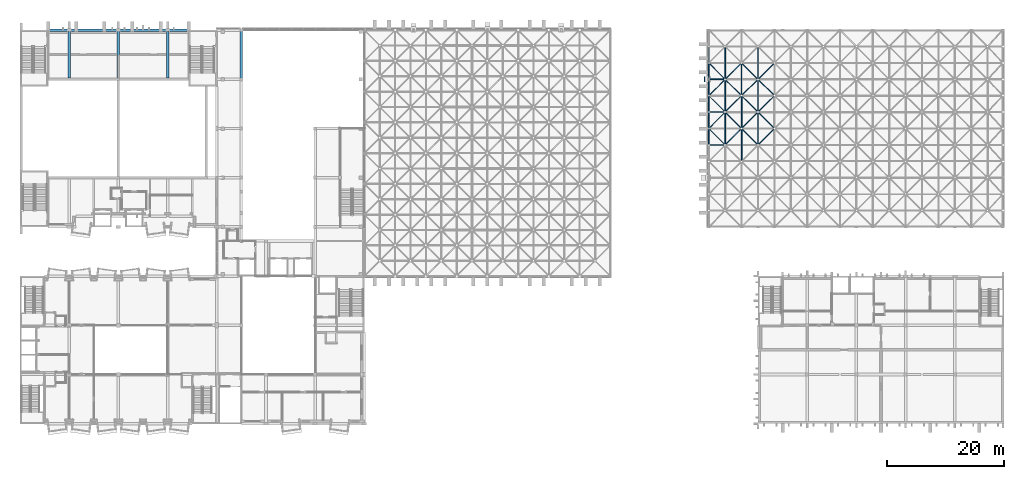
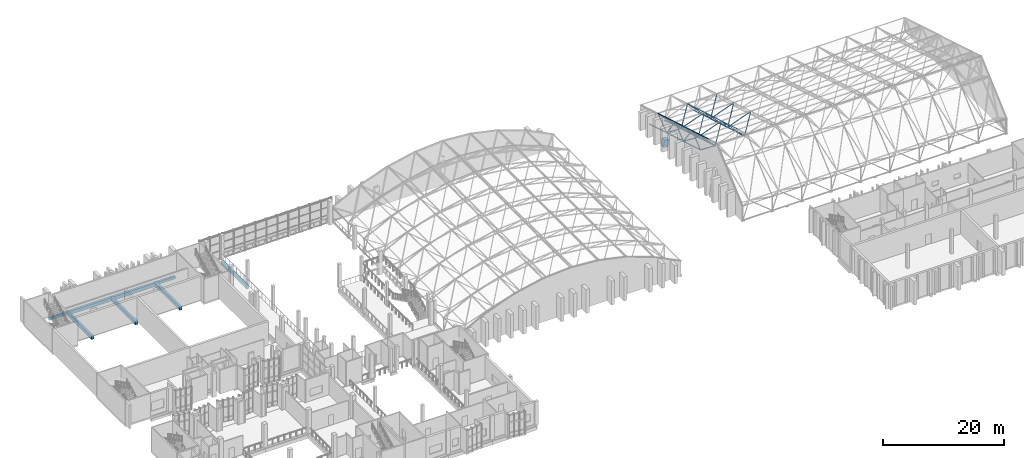
# One storey, part 26 of 100: 42 members, 8 beams.
"""IFC4 building model written with IfcOpenShell, lengths in metres."""

from ifc_helpers import new_model, si_unit, direction, frame, origin, origin_2d, place, context, subcontext, project, spatial, rectangle, hollow_circle, extrude, material, material_profile, profile_set, type_object, element, save


model = new_model("IFC4")

# Units and contexts
model_context = context("Model", 3, precision=1e-05, world=origin(), true_north=direction((0.0, 1.0)))
body_context = subcontext(model_context, "Body", "Model", "MODEL_VIEW")
ifc_project = project(units=[si_unit("LENGTHUNIT", "METRE"), si_unit("AREAUNIT", "SQUARE_METRE"), si_unit("VOLUMEUNIT", "CUBIC_METRE"), si_unit("PLANEANGLEUNIT", "RADIAN"), si_unit("MASSUNIT", "GRAM", prefix="KILO")], contexts=[model_context])

# Site, building, storey
site_placement = place(None, origin())
site = spatial("IfcSite", under=ifc_project, at=site_placement, CompositionType="ELEMENT")
building_placement = place(site_placement, origin())
building = spatial("IfcBuilding", under=site, at=building_placement, Name="Kiln Court Media Centre", CompositionType="ELEMENT")
storey_placement = place(building_placement, frame((0.0, 0.0, 15.0)))
storey = spatial("IfcBuildingStorey", under=building, at=storey_placement, Name="L03", CompositionType="ELEMENT", Elevation=15.0)

# Beams
ifc_material_1 = material(Name="Concrete C30/37", Category="concrete")
ifc_material_profile_1 = material_profile(ifc_material_1, rectangle(XDim=0.39990234375, YDim=0.5, at=origin_2d()), Name="RC 400x500")
ifc_profile_set_1 = profile_set([ifc_material_profile_1], Name="Concrete C30/37")
beam_type_1 = type_object("IfcBeamType", Name="Concrete C30/37 beam 400x500", PredefinedType="BEAM", material=ifc_profile_set_1)
beam_1_placement = place(storey_placement, frame((4.800048828125, 67.199951171875, -0.550048828125), z_axis=(1.0, 0.0, 0.0), x_axis=(0.0, 1.0, 0.0)))
element("IfcBeam", 1, at=beam_1_placement, inside=storey, type_object=beam_type_1, Name="L03-B-1058", PredefinedType="BEAM", context=body_context, shape_type="SweptSolid", body=[
    extrude(rectangle(XDim=0.39990234375, YDim=0.5, at=origin_2d()), origin(), (0.0, 0.0, 1.0), 3.599853515625),
])
beam_2_placement = place(storey_placement, frame((25.199951171875, 67.199951171875, -0.550048828125), z_axis=(1.0, 0.0, 0.0), x_axis=(0.0, 1.0, 0.0)))
element("IfcBeam", 2, at=beam_2_placement, inside=storey, type_object=beam_type_1, Name="L03-B-1061", PredefinedType="BEAM", context=body_context, shape_type="SweptSolid", body=[
    extrude(rectangle(XDim=0.39990234375, YDim=0.5, at=origin_2d()), origin(), (0.0, 0.0, 1.0), 3.60009765625),
])
ifc_material_2 = material(Name="Concrete C30/37", Category="concrete")
ifc_material_profile_2 = material_profile(ifc_material_2, rectangle(XDim=0.449951171875, YDim=0.699951171875, at=origin_2d()), Name="RC 450x700")
ifc_profile_set_2 = profile_set([ifc_material_profile_2], Name="Concrete C30/37")
beam_type_2 = type_object("IfcBeamType", Name="Concrete C30/37 beam 450x700", PredefinedType="BEAM", material=ifc_profile_set_2)
for number, where, z_axis, x_axis, name in (
    (3, (8.39990234375, 59.0, -0.64990234375), (0.0, 1.0, 0.0), (-1.0, 0.0, 0.0), "L03-B-1048"),
    (4, (16.800048828125, 59.0, -0.64990234375), (0.0, 1.0, 0.0), (-1.0, 0.0, 0.0), "L03-B-1050"),
    (5, (25.199951171875, 59.0, -0.64990234375), (0.0, 1.0, 0.0), (-1.0, 0.0, 0.0), "L03-B-1052"),
):
    element("IfcBeam", number, at=place(storey_placement, frame(where, z_axis=z_axis, x_axis=x_axis)), inside=storey, type_object=beam_type_2, Name=name, PredefinedType="BEAM", context=body_context, shape_type="SweptSolid", body=[
        extrude(rectangle(XDim=0.449951171875, YDim=0.699951171875, at=origin_2d()), origin(), (0.0, 0.0, 1.0), 8.199951171875),
    ])
beam_3_placement = place(storey_placement, frame((8.39990234375, 67.199951171875, -0.64990234375), z_axis=(1.0, 0.0, 0.0), x_axis=(0.0, 1.0, 0.0)))
element("IfcBeam", 6, at=beam_3_placement, inside=storey, type_object=beam_type_2, Name="L03-B-1059", PredefinedType="BEAM", context=body_context, shape_type="SweptSolid", body=[
    extrude(rectangle(XDim=0.449951171875, YDim=0.699951171875, at=origin_2d()), origin(), (0.0, 0.0, 1.0), 8.400146484375),
])
for number, where, z_axis, x_axis, name in (
    (7, (16.800048828125, 67.199951171875, -0.64990234375), (1.0, 0.0, 0.0), (0.0, 1.0, 0.0), "L03-B-1060"),
    (8, (37.800048828125, 67.199951171875, -0.64990234375), (0.0, -1.0, 0.0), (1.0, 0.0, 0.0), "L03-B-1090"),
):
    element("IfcBeam", number, at=place(storey_placement, frame(where, z_axis=z_axis, x_axis=x_axis)), inside=storey, type_object=beam_type_2, Name=name, PredefinedType="BEAM", context=body_context, shape_type="SweptSolid", body=[
        extrude(rectangle(XDim=0.449951171875, YDim=0.699951171875, at=origin_2d()), origin(), (0.0, 0.0, 1.0), 8.39990234375),
    ])

# Members
ifc_material_3 = material(Name="Concrete C40/50", Category="concrete")
ifc_material_profile_3 = material_profile(ifc_material_3, rectangle(XDim=0.89990234375, YDim=0.89990234375, at=origin_2d()), Name="RC 900x900")
ifc_profile_set_3 = profile_set([ifc_material_profile_3], Name="Concrete C40/50")
member_type_1 = type_object("IfcMemberType", Name="Concrete C40/50 raked column 900x900", PredefinedType="STRUT", material=ifc_profile_set_3)
member_1_placement = place(storey_placement, frame((117.190673828125, 58.800048828125, 0.0), z_axis=(0.170147994664, 0.0, 0.985418520179), x_axis=(0.0, 1.0, 0.0)))
element("IfcMember", 9, at=member_1_placement, inside=storey, type_object=member_type_1, Name="L03-M-1004", PredefinedType="STRUT", context=body_context, shape_type="SweptSolid", body=[
    extrude(rectangle(XDim=0.89990234375, YDim=0.89990234375, at=origin_2d()), origin(), (0.0, 0.0, 1.0), 1.390380859375),
])
ifc_material_4 = material(Name="Steel ASTM A500 Gr C", Category="steel")
ifc_material_profile_4 = material_profile(ifc_material_4, hollow_circle(Radius=0.05078125, WallThickness=0.0048828125, at=origin_2d()), Name="CHS 101.6x5.0")
ifc_profile_set_4 = profile_set([ifc_material_profile_4], Name="Steel ASTM A500 Gr C")
member_type_2 = type_object("IfcMemberType", Name="Steel ASTM A500 Gr C CHS 101.6x5.0 space frame brace", PredefinedType="BRACE", material=ifc_profile_set_4)
member_2_placement = place(storey_placement, frame((120.39990234375, 58.800048828125, 2.3701171875), z_axis=(-0.499761045685, -0.49980462443, 0.70741376479), x_axis=(0.70713760873, -0.707075952299, 0.0)))
element("IfcMember", 10, at=member_2_placement, inside=storey, type_object=member_type_2, Name="V2 roof diagonal 5-1 space frame brace", PredefinedType="BRACE", context=body_context, shape_type="SweptSolid", body=[
    extrude(hollow_circle(Radius=0.05078125, WallThickness=0.0048828125, at=origin_2d()), origin(), (0.0, 0.0, 1.0), 5.602294921875),
])
member_3_placement = place(storey_placement, frame((120.39990234375, 58.800048828125, 2.3701171875), z_axis=(-0.611642208339, 0.611695543028, 0.501719415229), x_axis=(-0.70713760873, -0.707075952299, 0.0)))
element("IfcMember", 11, at=member_3_placement, inside=storey, type_object=member_type_2, Name="V2 roof diagonal 5-1 space frame brace", PredefinedType="BRACE", context=body_context, shape_type="SweptSolid", body=[
    extrude(hollow_circle(Radius=0.05078125, WallThickness=0.0048828125, at=origin_2d()), origin(), (0.0, 0.0, 1.0), 4.57763671875),
])
member_4_placement = place(storey_placement, frame((120.39990234375, 58.800048828125, 2.3701171875), z_axis=(0.499793739087, -0.499793739087, 0.707398357886), x_axis=(0.707106781187, 0.707106781187, 0.0)))
element("IfcMember", 12, at=member_4_placement, inside=storey, type_object=member_type_2, Name="V2 roof diagonal 5-1 space frame brace", PredefinedType="BRACE", context=body_context, shape_type="SweptSolid", body=[
    extrude(hollow_circle(Radius=0.05078125, WallThickness=0.0048828125, at=origin_2d()), origin(), (0.0, 0.0, 1.0), 5.602294921875),
])
member_5_placement = place(storey_placement, frame((120.39990234375, 58.800048828125, 2.3701171875), z_axis=(0.611675588557, 0.611675588557, 0.501703048353), x_axis=(-0.707106781187, 0.707106781187, 0.0)))
element("IfcMember", 13, at=member_5_placement, inside=storey, type_object=member_type_2, Name="V2 roof diagonal 5-1 space frame brace", PredefinedType="BRACE", context=body_context, shape_type="SweptSolid", body=[
    extrude(hollow_circle(Radius=0.05078125, WallThickness=0.0048828125, at=origin_2d()), origin(), (0.0, 0.0, 1.0), 4.57763671875),
])
member_6_placement = place(storey_placement, frame((126.0, 58.800048828125, 2.3701171875), z_axis=(-0.499793739087, -0.499793739087, 0.707398357886), x_axis=(0.707106781187, -0.707106781187, 0.0)))
element("IfcMember", 14, at=member_6_placement, inside=storey, type_object=member_type_2, Name="V2 roof diagonal 5-2 space frame brace", PredefinedType="BRACE", context=body_context, shape_type="SweptSolid", body=[
    extrude(hollow_circle(Radius=0.05078125, WallThickness=0.0048828125, at=origin_2d()), origin(), (0.0, 0.0, 1.0), 5.602294921875),
])
member_7_placement = place(storey_placement, frame((126.0, 58.800048828125, 2.3701171875), z_axis=(-0.611675588557, 0.611675588557, 0.501703048353), x_axis=(-0.707106781187, -0.707106781187, 0.0)))
element("IfcMember", 15, at=member_7_placement, inside=storey, type_object=member_type_2, Name="V2 roof diagonal 5-2 space frame brace", PredefinedType="BRACE", context=body_context, shape_type="SweptSolid", body=[
    extrude(hollow_circle(Radius=0.05078125, WallThickness=0.0048828125, at=origin_2d()), origin(), (0.0, 0.0, 1.0), 4.57763671875),
])
member_8_placement = place(storey_placement, frame((126.0, 58.800048828125, 2.3701171875), z_axis=(0.499793739087, -0.499793739087, 0.707398357886), x_axis=(0.707106781187, 0.707106781187, 0.0)))
element("IfcMember", 16, at=member_8_placement, inside=storey, type_object=member_type_2, Name="V2 roof diagonal 5-2 space frame brace", PredefinedType="BRACE", context=body_context, shape_type="SweptSolid", body=[
    extrude(hollow_circle(Radius=0.05078125, WallThickness=0.0048828125, at=origin_2d()), origin(), (0.0, 0.0, 1.0), 5.602294921875),
])
member_9_placement = place(storey_placement, frame((126.0, 58.800048828125, 2.3701171875), z_axis=(0.611675588557, 0.611675588557, 0.501703048353), x_axis=(-0.707106781187, 0.707106781187, 0.0)))
element("IfcMember", 17, at=member_9_placement, inside=storey, type_object=member_type_2, Name="V2 roof diagonal 5-2 space frame brace", PredefinedType="BRACE", context=body_context, shape_type="SweptSolid", body=[
    extrude(hollow_circle(Radius=0.05078125, WallThickness=0.0048828125, at=origin_2d()), origin(), (0.0, 0.0, 1.0), 4.57763671875),
])
member_10_placement = place(storey_placement, frame((117.60009765625, 47.60009765625, 5.828125), z_axis=(0.0, 0.790138082553, 0.612928878827), x_axis=(-1.0, 0.0, 0.0)))
element("IfcMember", 18, at=member_10_placement, inside=storey, type_object=member_type_2, Name="V2 roof gable diagonal west 3 space frame brace", PredefinedType="BRACE", context=body_context, shape_type="SweptSolid", body=[
    extrude(hollow_circle(Radius=0.05078125, WallThickness=0.0048828125, at=origin_2d()), origin(), (0.0, 0.0, 1.0), 3.54345703125),
])
member_11_placement = place(storey_placement, frame((117.60009765625, 53.199951171875, 4.161376953125), z_axis=(0.0, -0.58931681958, 0.807902027575), x_axis=(1.0, 0.0, 0.0)))
element("IfcMember", 19, at=member_11_placement, inside=storey, type_object=member_type_2, Name="V2 roof gable diagonal west 4 space frame brace", PredefinedType="BRACE", context=body_context, shape_type="SweptSolid", body=[
    extrude(hollow_circle(Radius=0.05078125, WallThickness=0.0048828125, at=origin_2d()), origin(), (0.0, 0.0, 1.0), 4.75146484375),
])
member_12_placement = place(storey_placement, frame((117.60009765625, 53.199951171875, 4.161376953125), z_axis=(0.0, 0.790163964683, 0.612895512234), x_axis=(-1.0, 0.0, 0.0)))
element("IfcMember", 20, at=member_12_placement, inside=storey, type_object=member_type_2, Name="V2 roof gable diagonal west 4 space frame brace", PredefinedType="BRACE", context=body_context, shape_type="SweptSolid", body=[
    extrude(hollow_circle(Radius=0.05078125, WallThickness=0.0048828125, at=origin_2d()), origin(), (0.0, 0.0, 1.0), 3.543701171875),
])
member_13_placement = place(storey_placement, frame((117.60009765625, 58.800048828125, 2.494873046875), z_axis=(0.0, -0.589341284514, 0.807884181283), x_axis=(1.0, 0.0, 0.0)))
element("IfcMember", 21, at=member_13_placement, inside=storey, type_object=member_type_2, Name="V2 roof gable diagonal west 5 space frame brace", PredefinedType="BRACE", context=body_context, shape_type="SweptSolid", body=[
    extrude(hollow_circle(Radius=0.05078125, WallThickness=0.0048828125, at=origin_2d()), origin(), (0.0, 0.0, 1.0), 4.751220703125),
])
member_14_placement = place(storey_placement, frame((117.60009765625, 58.800048828125, 2.494873046875), z_axis=(0.0, 0.790163964683, 0.612895512234), x_axis=(-1.0, 0.0, 0.0)))
element("IfcMember", 22, at=member_14_placement, inside=storey, type_object=member_type_2, Name="V2 roof gable diagonal west 5 space frame brace", PredefinedType="BRACE", context=body_context, shape_type="SweptSolid", body=[
    extrude(hollow_circle(Radius=0.05078125, WallThickness=0.0048828125, at=origin_2d()), origin(), (0.0, 0.0, 1.0), 3.543701171875),
])
ifc_material_5 = material(Name="Steel ASTM A500 Gr C", Category="steel")
ifc_material_profile_5 = material_profile(ifc_material_5, hollow_circle(Radius=0.05712890625, WallThickness=0.0048828125, at=origin_2d()), Name="CHS 114.3x5.0")
ifc_profile_set_5 = profile_set([ifc_material_profile_5], Name="Steel ASTM A500 Gr C")
member_type_3 = type_object("IfcMemberType", Name="Steel ASTM A500 Gr C CHS 114.3x5.0 space frame brace", PredefinedType="BRACE", material=ifc_profile_set_5)
for number, where, z_axis, x_axis, name in (
    (23, (117.60009765625, 47.60009765625, 5.828125), (0.999008733772, 0.0, -0.04451460263), (0.0, 1.0, 0.0), "V2 roof gable tie west 3 space frame brace"),
    (24, (117.60009765625, 53.199951171875, 4.161376953125), (0.999008733772, 0.0, -0.04451460263), (0.0, 1.0, 0.0), "V2 roof gable tie west 4 space frame brace"),
    (25, (117.60009765625, 58.800048828125, 2.494873046875), (0.999008733772, 0.0, -0.04451460263), (0.0, 1.0, 0.0), "V2 roof gable tie west 5 space frame brace"),
):
    element("IfcMember", number, at=place(storey_placement, frame(where, z_axis=z_axis, x_axis=x_axis)), inside=storey, type_object=member_type_3, Name=name, PredefinedType="BRACE", context=body_context, shape_type="SweptSolid", body=[
        extrude(hollow_circle(Radius=0.05712890625, WallThickness=0.0048828125, at=origin_2d()), origin(), (0.0, 0.0, 1.0), 2.802490234375),
    ])
ifc_material_6 = material(Name="Steel ASTM A500 Gr C", Category="steel")
ifc_material_profile_6 = material_profile(ifc_material_6, hollow_circle(Radius=0.084228515625, WallThickness=0.00634765625, at=origin_2d()), Name="CHS 168.3x6.3")
ifc_profile_set_6 = profile_set([ifc_material_profile_6], Name="Steel ASTM A500 Gr C")
member_type_4 = type_object("IfcMemberType", Name="Steel ASTM A500 Gr C CHS 168.3x6.3 space frame chord", PredefinedType="CHORD", material=ifc_profile_set_6)
member_15_placement = place(storey_placement, frame((123.199951171875, 44.800048828125, 9.666748046875), z_axis=(0.0, 0.958446230045, -0.285273244649), x_axis=(-1.0, 0.0, 0.0)))
element("IfcMember", 26, at=member_15_placement, inside=storey, type_object=member_type_4, Name="V2 roof top chord across line 2 space frame chord", PredefinedType="CHORD", context=body_context, shape_type="SweptSolid", body=[
    extrude(hollow_circle(Radius=0.084228515625, WallThickness=0.00634765625, at=origin_2d()), origin(), (0.0, 0.0, 1.0), 5.842529296875),
])
member_16_placement = place(storey_placement, frame((123.199951171875, 50.39990234375, 8.0), z_axis=(0.0, 0.958449630422, -0.285261819988), x_axis=(-1.0, 0.0, 0.0)))
element("IfcMember", 27, at=member_16_placement, inside=storey, type_object=member_type_4, Name="V2 roof top chord across line 2 space frame chord", PredefinedType="CHORD", context=body_context, shape_type="SweptSolid", body=[
    extrude(hollow_circle(Radius=0.084228515625, WallThickness=0.00634765625, at=origin_2d()), origin(), (0.0, 0.0, 1.0), 5.8427734375),
])
ifc_material_7 = material(Name="Steel ASTM A500 Gr C", Category="steel")
ifc_material_profile_7 = material_profile(ifc_material_7, hollow_circle(Radius=0.096923828125, WallThickness=0.008056640625, at=origin_2d()), Name="CHS 193.7x8.0")
ifc_profile_set_7 = profile_set([ifc_material_profile_7], Name="Steel ASTM A500 Gr C")
member_type_5 = type_object("IfcMemberType", Name="Steel ASTM A500 Gr C CHS 193.7x8.0 space frame chord", PredefinedType="CHORD", material=ifc_profile_set_7)
member_17_placement = place(storey_placement, frame((123.199951171875, 56.0, 6.333251953125), z_axis=(0.0, 0.958461054013, -0.285223435116), x_axis=(-1.0, 0.0, 0.0)))
element("IfcMember", 28, at=member_17_placement, inside=storey, type_object=member_type_5, Name="V2 roof top chord across line 2 space frame chord", PredefinedType="CHORD", context=body_context, shape_type="SweptSolid", body=[
    extrude(hollow_circle(Radius=0.096923828125, WallThickness=0.008056640625, at=origin_2d()), origin(), (0.0, 0.0, 1.0), 5.8427734375),
])
for number, where, z_axis, x_axis, name in (
    (29, (120.39990234375, 58.800048828125, 2.3701171875), (0.0, 0.958446230045, -0.285273244649), (-1.0, 0.0, 0.0), "V2 roof bottom chord across line 1 space frame chord"),
    (30, (126.0, 58.800048828125, 2.3701171875), (0.0, 0.958446230045, -0.285273244649), (-1.0, 0.0, 0.0), "V2 roof bottom chord across line 2 space frame chord"),
):
    element("IfcMember", number, at=place(storey_placement, frame(where, z_axis=z_axis, x_axis=x_axis)), inside=storey, type_object=member_type_5, Name=name, PredefinedType="CHORD", context=body_context, shape_type="SweptSolid", body=[
        extrude(hollow_circle(Radius=0.096923828125, WallThickness=0.008056640625, at=origin_2d()), origin(), (0.0, 0.0, 1.0), 5.842529296875),
    ])
member_18_placement = place(storey_placement, frame((117.60009765625, 47.60009765625, 5.828125), z_axis=(0.0, 0.958451171748, -0.285256641246), x_axis=(-1.0, 0.0, 0.0)))
element("IfcMember", 31, at=member_18_placement, inside=storey, type_object=member_type_5, Name="V2 roof gable bottom chord west space frame chord", PredefinedType="CHORD", context=body_context, shape_type="SweptSolid", body=[
    extrude(hollow_circle(Radius=0.096923828125, WallThickness=0.008056640625, at=origin_2d()), origin(), (0.0, 0.0, 1.0), 17.528076171875),
])
ifc_material_8 = material(Name="Steel ASTM A500 Gr C", Category="steel")
ifc_material_profile_8 = material_profile(ifc_material_8, hollow_circle(Radius=0.109619140625, WallThickness=0.008056640625, at=origin_2d()), Name="CHS 219.1x8.0")
ifc_profile_set_8 = profile_set([ifc_material_profile_8], Name="Steel ASTM A500 Gr C")
member_type_6 = type_object("IfcMemberType", Name="Steel ASTM A500 Gr C CHS 219.1x8.0 space frame chord", PredefinedType="CHORD", material=ifc_profile_set_8)
member_19_placement = place(storey_placement, frame((117.60009765625, 44.800048828125, 9.666748046875), z_axis=(0.0, 0.958446230045, -0.285273244649), x_axis=(-1.0, 0.0, 0.0)))
element("IfcMember", 32, at=member_19_placement, inside=storey, type_object=member_type_6, Name="V2 roof top chord across line 1 space frame chord", PredefinedType="CHORD", context=body_context, shape_type="SweptSolid", body=[
    extrude(hollow_circle(Radius=0.109619140625, WallThickness=0.008056640625, at=origin_2d()), origin(), (0.0, 0.0, 1.0), 5.842529296875),
])
for number, where, z_axis, x_axis, name in (
    (33, (117.60009765625, 50.39990234375, 8.0), (0.0, 0.958449630422, -0.285261819988), (-1.0, 0.0, 0.0), "V2 roof top chord across line 1 space frame chord"),
    (34, (117.60009765625, 56.0, 6.333251953125), (0.0, 0.958461054013, -0.285223435116), (-1.0, 0.0, 0.0), "V2 roof top chord across line 1 space frame chord"),
):
    element("IfcMember", number, at=place(storey_placement, frame(where, z_axis=z_axis, x_axis=x_axis)), inside=storey, type_object=member_type_6, Name=name, PredefinedType="CHORD", context=body_context, shape_type="SweptSolid", body=[
        extrude(hollow_circle(Radius=0.109619140625, WallThickness=0.008056640625, at=origin_2d()), origin(), (0.0, 0.0, 1.0), 5.8427734375),
    ])
ifc_material_9 = material(Name="Steel ASTM A500 Gr C", Category="steel")
ifc_material_profile_9 = material_profile(ifc_material_9, hollow_circle(Radius=0.122314453125, WallThickness=0.010009765625, at=origin_2d()), Name="CHS 244.5x10.0")
ifc_profile_set_9 = profile_set([ifc_material_profile_9], Name="Steel ASTM A500 Gr C")
member_type_7 = type_object("IfcMemberType", Name="Steel ASTM A500 Gr C CHS 244.5x10.0 space frame chord", PredefinedType="CHORD", material=ifc_profile_set_9)
member_20_placement = place(storey_placement, frame((120.39990234375, 47.60009765625, 5.703369140625), z_axis=(0.0, 0.958446230045, -0.285273244649), x_axis=(-1.0, 0.0, 0.0)))
element("IfcMember", 35, at=member_20_placement, inside=storey, type_object=member_type_7, Name="V2 roof bottom chord across line 1 space frame chord", PredefinedType="CHORD", context=body_context, shape_type="SweptSolid", body=[
    extrude(hollow_circle(Radius=0.122314453125, WallThickness=0.010009765625, at=origin_2d()), origin(), (0.0, 0.0, 1.0), 5.842529296875),
])
member_21_placement = place(storey_placement, frame((120.39990234375, 53.199951171875, 4.03662109375), z_axis=(0.0, 0.958461054013, -0.285223435116), x_axis=(-1.0, 0.0, 0.0)))
element("IfcMember", 36, at=member_21_placement, inside=storey, type_object=member_type_7, Name="V2 roof bottom chord across line 1 space frame chord", PredefinedType="CHORD", context=body_context, shape_type="SweptSolid", body=[
    extrude(hollow_circle(Radius=0.122314453125, WallThickness=0.010009765625, at=origin_2d()), origin(), (0.0, 0.0, 1.0), 5.8427734375),
])
member_22_placement = place(storey_placement, frame((126.0, 47.60009765625, 5.703369140625), z_axis=(0.0, 0.958446230045, -0.285273244649), x_axis=(-1.0, 0.0, 0.0)))
element("IfcMember", 37, at=member_22_placement, inside=storey, type_object=member_type_7, Name="V2 roof bottom chord across line 2 space frame chord", PredefinedType="CHORD", context=body_context, shape_type="SweptSolid", body=[
    extrude(hollow_circle(Radius=0.122314453125, WallThickness=0.010009765625, at=origin_2d()), origin(), (0.0, 0.0, 1.0), 5.842529296875),
])
member_23_placement = place(storey_placement, frame((126.0, 53.199951171875, 4.03662109375), z_axis=(0.0, 0.958461054013, -0.285223435116), x_axis=(-1.0, 0.0, 0.0)))
element("IfcMember", 38, at=member_23_placement, inside=storey, type_object=member_type_7, Name="V2 roof bottom chord across line 2 space frame chord", PredefinedType="CHORD", context=body_context, shape_type="SweptSolid", body=[
    extrude(hollow_circle(Radius=0.122314453125, WallThickness=0.010009765625, at=origin_2d()), origin(), (0.0, 0.0, 1.0), 5.8427734375),
])
ifc_material_10 = material(Name="Steel ASTM A500 Gr C", Category="steel")
ifc_material_profile_10 = material_profile(ifc_material_10, hollow_circle(Radius=0.04443359375, WallThickness=0.00390625, at=origin_2d()), Name="CHS 88.9x4.0")
ifc_profile_set_10 = profile_set([ifc_material_profile_10], Name="Steel ASTM A500 Gr C")
member_type_8 = type_object("IfcMemberType", Name="Steel ASTM A500 Gr C CHS 88.9x4.0 space frame brace", PredefinedType="BRACE", material=ifc_profile_set_10)
member_24_placement = place(storey_placement, frame((120.39990234375, 47.60009765625, 5.703369140625), z_axis=(-0.611662163023, 0.611662163023, 0.501735783707), x_axis=(-0.707106781187, -0.707106781187, 0.0)))
element("IfcMember", 39, at=member_24_placement, inside=storey, type_object=member_type_8, Name="V2 roof diagonal 3-1 space frame brace", PredefinedType="BRACE", context=body_context, shape_type="SweptSolid", body=[
    extrude(hollow_circle(Radius=0.04443359375, WallThickness=0.00390625, at=origin_2d()), origin(), (0.0, 0.0, 1.0), 4.577392578125),
])
for number, where, z_axis, x_axis, name in (
    (40, (120.39990234375, 47.60009765625, 5.703369140625), (0.611695543028, 0.611642208339, 0.501719415229), (-0.707075952299, 0.70713760873, 0.0), "V2 roof diagonal 3-1 space frame brace"),
    (41, (126.0, 47.60009765625, 5.703369140625), (-0.611695543028, 0.611642208339, 0.501719415229), (-0.707075952299, -0.70713760873, 0.0), "V2 roof diagonal 3-2 space frame brace"),
    (42, (126.0, 47.60009765625, 5.703369140625), (0.611695543028, 0.611642208339, 0.501719415229), (-0.707075952299, 0.70713760873, 0.0), "V2 roof diagonal 3-2 space frame brace"),
):
    element("IfcMember", number, at=place(storey_placement, frame(where, z_axis=z_axis, x_axis=x_axis)), inside=storey, type_object=member_type_8, Name=name, PredefinedType="BRACE", context=body_context, shape_type="SweptSolid", body=[
        extrude(hollow_circle(Radius=0.04443359375, WallThickness=0.00390625, at=origin_2d()), origin(), (0.0, 0.0, 1.0), 4.57763671875),
    ])
member_25_placement = place(storey_placement, frame((120.39990234375, 53.199951171875, 4.03662109375), z_axis=(-0.499745639188, -0.499789216589, 0.707435534232), x_axis=(0.70713760873, -0.707075952299, 0.0)))
element("IfcMember", 43, at=member_25_placement, inside=storey, type_object=member_type_8, Name="V2 roof diagonal 4-1 space frame brace", PredefinedType="BRACE", context=body_context, shape_type="SweptSolid", body=[
    extrude(hollow_circle(Radius=0.04443359375, WallThickness=0.00390625, at=origin_2d()), origin(), (0.0, 0.0, 1.0), 5.6025390625),
])
member_26_placement = place(storey_placement, frame((120.39990234375, 53.199951171875, 4.03662109375), z_axis=(-0.611642208339, 0.611695543028, 0.501719415229), x_axis=(-0.70713760873, -0.707075952299, 0.0)))
element("IfcMember", 44, at=member_26_placement, inside=storey, type_object=member_type_8, Name="V2 roof diagonal 4-1 space frame brace", PredefinedType="BRACE", context=body_context, shape_type="SweptSolid", body=[
    extrude(hollow_circle(Radius=0.04443359375, WallThickness=0.00390625, at=origin_2d()), origin(), (0.0, 0.0, 1.0), 4.57763671875),
])
member_27_placement = place(storey_placement, frame((120.39990234375, 53.199951171875, 4.03662109375), z_axis=(0.499778332252, -0.499778332252, 0.707420127804), x_axis=(0.707106781187, 0.707106781187, 0.0)))
element("IfcMember", 45, at=member_27_placement, inside=storey, type_object=member_type_8, Name="V2 roof diagonal 4-1 space frame brace", PredefinedType="BRACE", context=body_context, shape_type="SweptSolid", body=[
    extrude(hollow_circle(Radius=0.04443359375, WallThickness=0.00390625, at=origin_2d()), origin(), (0.0, 0.0, 1.0), 5.6025390625),
])
member_28_placement = place(storey_placement, frame((120.39990234375, 53.199951171875, 4.03662109375), z_axis=(0.611675588557, 0.611675588557, 0.501703048353), x_axis=(-0.707106781187, 0.707106781187, 0.0)))
element("IfcMember", 46, at=member_28_placement, inside=storey, type_object=member_type_8, Name="V2 roof diagonal 4-1 space frame brace", PredefinedType="BRACE", context=body_context, shape_type="SweptSolid", body=[
    extrude(hollow_circle(Radius=0.04443359375, WallThickness=0.00390625, at=origin_2d()), origin(), (0.0, 0.0, 1.0), 4.57763671875),
])
member_29_placement = place(storey_placement, frame((126.0, 53.199951171875, 4.03662109375), z_axis=(-0.499778332252, -0.499778332252, 0.707420127804), x_axis=(0.707106781187, -0.707106781187, 0.0)))
element("IfcMember", 47, at=member_29_placement, inside=storey, type_object=member_type_8, Name="V2 roof diagonal 4-2 space frame brace", PredefinedType="BRACE", context=body_context, shape_type="SweptSolid", body=[
    extrude(hollow_circle(Radius=0.04443359375, WallThickness=0.00390625, at=origin_2d()), origin(), (0.0, 0.0, 1.0), 5.6025390625),
])
member_30_placement = place(storey_placement, frame((126.0, 53.199951171875, 4.03662109375), z_axis=(-0.611675588557, 0.611675588557, 0.501703048353), x_axis=(-0.707106781187, -0.707106781187, 0.0)))
element("IfcMember", 48, at=member_30_placement, inside=storey, type_object=member_type_8, Name="V2 roof diagonal 4-2 space frame brace", PredefinedType="BRACE", context=body_context, shape_type="SweptSolid", body=[
    extrude(hollow_circle(Radius=0.04443359375, WallThickness=0.00390625, at=origin_2d()), origin(), (0.0, 0.0, 1.0), 4.57763671875),
])
member_31_placement = place(storey_placement, frame((126.0, 53.199951171875, 4.03662109375), z_axis=(0.499778332252, -0.499778332252, 0.707420127804), x_axis=(0.707106781187, 0.707106781187, 0.0)))
element("IfcMember", 49, at=member_31_placement, inside=storey, type_object=member_type_8, Name="V2 roof diagonal 4-2 space frame brace", PredefinedType="BRACE", context=body_context, shape_type="SweptSolid", body=[
    extrude(hollow_circle(Radius=0.04443359375, WallThickness=0.00390625, at=origin_2d()), origin(), (0.0, 0.0, 1.0), 5.6025390625),
])
member_32_placement = place(storey_placement, frame((126.0, 53.199951171875, 4.03662109375), z_axis=(0.611675588557, 0.611675588557, 0.501703048353), x_axis=(-0.707106781187, 0.707106781187, 0.0)))
element("IfcMember", 50, at=member_32_placement, inside=storey, type_object=member_type_8, Name="V2 roof diagonal 4-2 space frame brace", PredefinedType="BRACE", context=body_context, shape_type="SweptSolid", body=[
    extrude(hollow_circle(Radius=0.04443359375, WallThickness=0.00390625, at=origin_2d()), origin(), (0.0, 0.0, 1.0), 4.57763671875),
])

save(model, "model.ifc")
